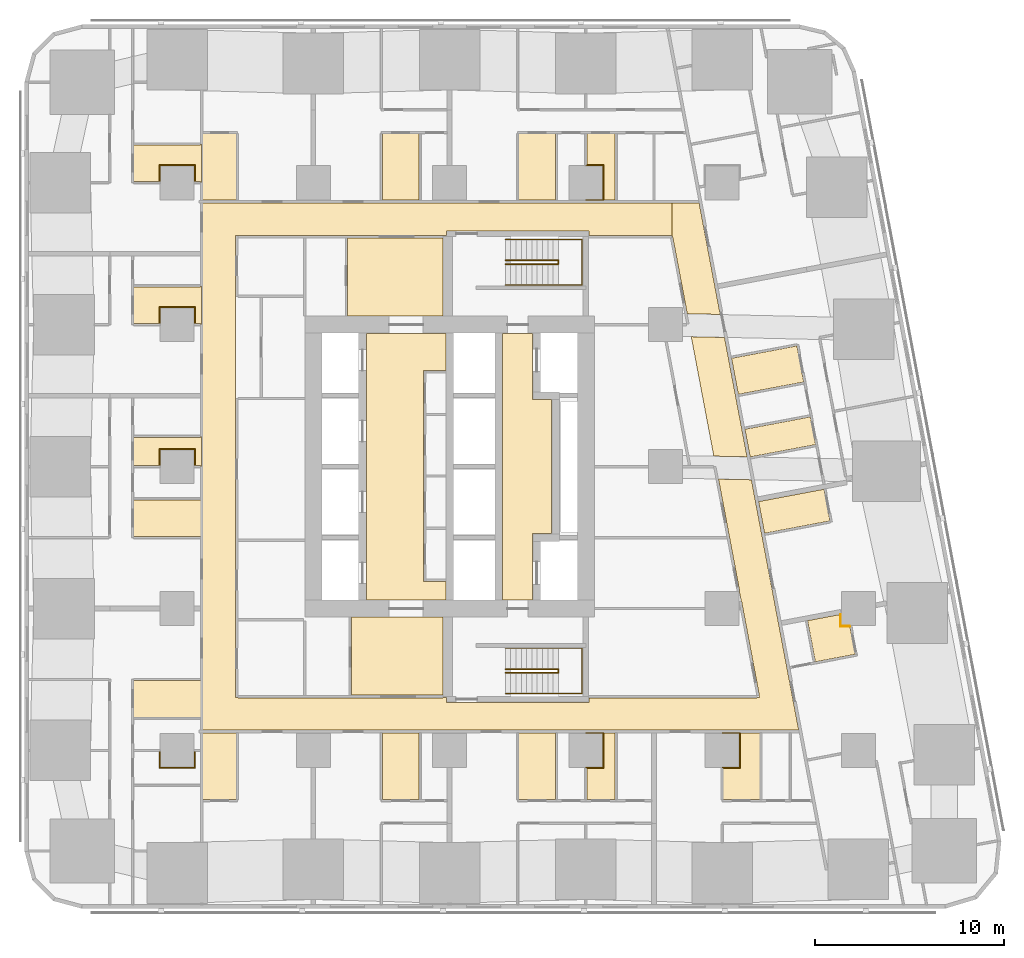
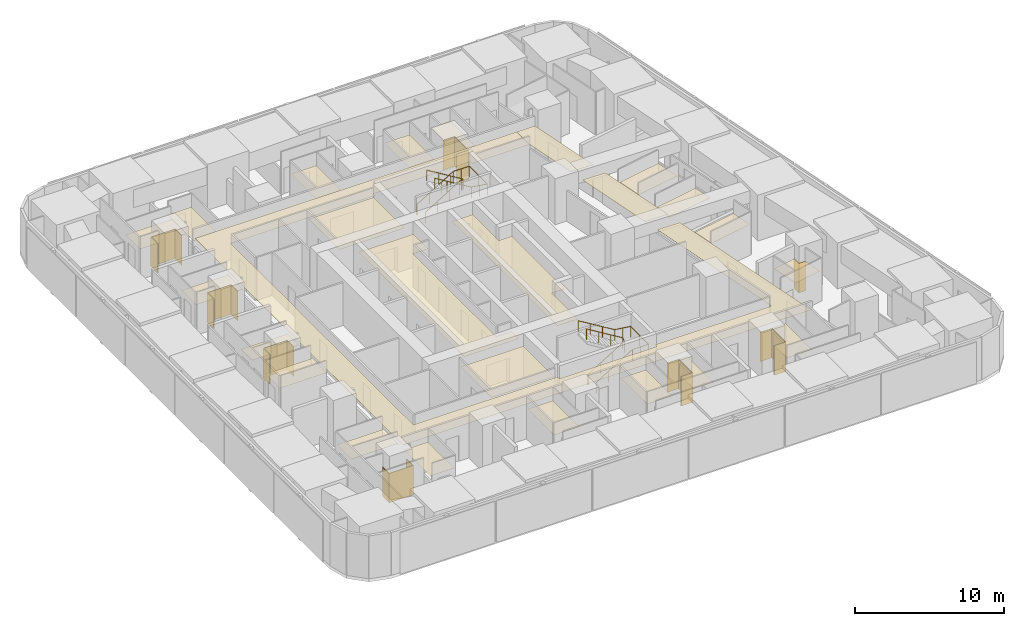
# One storey, part 16 of 17: 33 coverings, 4 railings.
"""IFC4 building model written with IfcOpenShell, lengths in metres."""

import ifcopenshell
import ifcopenshell.guid

model = None  # the IFC model being written
_history = None  # IfcOwnerHistory: only IFC2X3 demands one
_inside = {}  # id of a spatial element -> (the spatial element, [elements in it])
_under = {}  # id of a project, library or spatial element -> (it, [spatial elements below it])
_declared = {}  # id of a project -> (the project, [libraries it declares])
_typed = {}  # id of a type object -> (the type object, [elements of that type])
_made_of = {}  # id of a material, layer set ... -> (it, [elements and type objects made of it])


def new_model(schema):
    """Start an empty IFC model of exactly this schema.

    Asked for "IFC4X3", IfcOpenShell would pick the latest addendum, in which some entities
    have other attributes; the version numbers below select the first issue.
    IFC2X3 requires an IfcOwnerHistory on every rooted entity: one is made here for all.
    """
    global model, _history
    if schema == "IFC4X3":
        model = ifcopenshell.file(schema_version=(4, 3, 0, 0))
    else:
        model = ifcopenshell.file(schema=schema)
    _inside.clear()
    _under.clear()
    _declared.clear()
    _typed.clear()
    _made_of.clear()
    _history = None
    if model.schema == "IFC2X3":
        org = make("IfcOrganization", Name="unknown")
        user = make(
            "IfcPersonAndOrganization",
            ThePerson=make("IfcPerson", FamilyName="unknown"),
            TheOrganization=org,
        )
        app = make(
            "IfcApplication",
            ApplicationDeveloper=org,
            Version="unknown",
            ApplicationFullName="unknown",
            ApplicationIdentifier="unknown",
        )
        _history = make(
            "IfcOwnerHistory",
            OwningUser=user,
            OwningApplication=app,
            ChangeAction="ADDED",
            CreationDate=0,
        )
    return model


def make(cls, **values):
    """One entity of the class cls with the attributes given. An attribute that is None is left unset."""
    return model.create_entity(
        cls, **{name: value for name, value in values.items() if value is not None}
    )


def rooted(cls, **values):
    """An entity with a GlobalId (a new one), such as an element, a storey or a relation."""
    return make(cls, GlobalId=ifcopenshell.guid.new(), OwnerHistory=_history, **values)


def si_unit(unit_type, name, prefix=None):
    """IfcSIUnit, for example si_unit("LENGTHUNIT", "METRE", prefix="MILLI")."""
    return make("IfcSIUnit", UnitType=unit_type, Prefix=prefix, Name=name)


def assignment(units):
    """IfcUnitAssignment: the units of a project."""
    return None if units is None else make("IfcUnitAssignment", Units=units)


def point(xyz):
    """IfcCartesianPoint."""
    return None if xyz is None else make("IfcCartesianPoint", Coordinates=xyz)


def direction(xyz):
    """IfcDirection."""
    return None if xyz is None else make("IfcDirection", DirectionRatios=xyz)


def frame(location, z_axis=None, x_axis=None):
    """IfcAxis2Placement3D, a coordinate frame: its origin and axes. An axis left out is left unset."""
    return make(
        "IfcAxis2Placement3D",
        Location=point(location),
        Axis=direction(z_axis),
        RefDirection=direction(x_axis),
    )


def frame_2d(location, x_axis=None):
    """IfcAxis2Placement2D, a coordinate frame in the plane: its origin and x axis."""
    return make(
        "IfcAxis2Placement2D", Location=point(location), RefDirection=direction(x_axis)
    )


def origin():
    """The frame at (0, 0, 0) with its axes left unset."""
    return frame((0.0, 0.0, 0.0))


def origin_2d():
    """The frame at (0, 0) in the plane with its x axis left unset."""
    return frame_2d((0.0, 0.0))


def place(relative_to, where):
    """IfcLocalPlacement: puts the frame where relative to a parent placement (None: the world)."""
    return make(
        "IfcLocalPlacement", PlacementRelTo=relative_to, RelativePlacement=where
    )


def context(
    kind, dimensions, precision=None, world=None, true_north=None, identifier=None
):
    """IfcGeometricRepresentationContext, for example the 3D "Model" context."""
    return make(
        "IfcGeometricRepresentationContext",
        ContextIdentifier=identifier,
        ContextType=kind,
        CoordinateSpaceDimension=dimensions,
        Precision=precision,
        WorldCoordinateSystem=world,
        TrueNorth=true_north,
    )


def subcontext(parent, identifier, kind, view, scale=None):
    """IfcGeometricRepresentationSubContext, for example "Body" below "Model"."""
    return make(
        "IfcGeometricRepresentationSubContext",
        ContextIdentifier=identifier,
        ContextType=kind,
        ParentContext=parent,
        TargetScale=scale,
        TargetView=view,
    )


def project(units=None, contexts=None):
    """IfcProject with its units and contexts."""
    return rooted(
        "IfcProject",
        Name="project",
        RepresentationContexts=contexts,
        UnitsInContext=assignment(units),
    )


def spatial(cls, under=None, at=None, **own):
    """A site, building, storey or space (cls), placed at a placement, below another one or the project."""
    s = rooted(cls, ObjectPlacement=at, **own)
    if under is not None:
        _under.setdefault(under.id(), (under, []))[1].append(s)
    return s


def polyline(points):
    """IfcPolyline through the points."""
    return make("IfcPolyline", Points=[point(p) for p in points])


def profile(cls, at=None, kind="AREA", **sizes):
    """A parametric profile (cls). Its sizes go by their IFC names, for example OverallWidth=200.0."""
    return make(cls, ProfileType=kind, Position=at, **sizes)


def circle(**sizes):
    """IfcCircleProfileDef."""
    return profile("IfcCircleProfileDef", **sizes)


def outline(outer, holes=None, kind="AREA"):
    """IfcArbitraryClosedProfileDef: a profile drawn as a closed curve; with holes, ...WithVoids."""
    if holes is None:
        return make("IfcArbitraryClosedProfileDef", ProfileType=kind, OuterCurve=outer)
    return make(
        "IfcArbitraryProfileDefWithVoids",
        ProfileType=kind,
        OuterCurve=outer,
        InnerCurves=holes,
    )


def extrude(swept, where, along, depth):
    """IfcExtrudedAreaSolid: the profile swept, set in the frame where, extruded along a direction by depth."""
    return make(
        "IfcExtrudedAreaSolid",
        SweptArea=swept,
        Position=where,
        ExtrudedDirection=direction(along),
        Depth=depth,
    )


def shape(context_of_items, identifier, shape_type, items):
    """IfcShapeRepresentation: the items that make up one representation, for example the "Body"."""
    return make(
        "IfcShapeRepresentation",
        ContextOfItems=context_of_items,
        RepresentationIdentifier=identifier,
        RepresentationType=shape_type,
        Items=items,
    )


def material(Name=None, Category=None):
    """IfcMaterial."""
    return make("IfcMaterial", Name=Name, Category=Category)


def layer(
    of_material, thickness, ventilated=None, Name=None, Category=None, Priority=None
):
    """IfcMaterialLayer: one layer of a wall or slab, of a material (None: an air gap)."""
    return make(
        "IfcMaterialLayer",
        Material=of_material,
        LayerThickness=thickness,
        IsVentilated=ventilated,
        Name=Name,
        Category=Category,
        Priority=Priority,
    )


def layer_set(layers, Name=None):
    """IfcMaterialLayerSet."""
    return make("IfcMaterialLayerSet", MaterialLayers=layers, LayerSetName=Name)


def made_of(thing, what):
    """Note that an element or type object is made of a material, layer set ...; save() writes the relation."""
    if what is not None:
        _made_of.setdefault(what.id(), (what, []))[1].append(thing)
    return thing


def type_object(cls, material=None, **own):
    """A type object (cls), such as IfcWallType, which elements share."""
    return made_of(rooted(cls, **own), material)


def element(
    cls,
    number,
    at=None,
    inside=None,
    cuts=None,
    type_object=None,
    material=None,
    context=None,
    identifier="Body",
    shape_type=None,
    held_by="IfcProductDefinitionShape",
    body=None,
    shapes=None,
    **own,
):
    """One element of the class cls, such as IfcWall. Its Tag is "e" and its number.

    at: its placement. inside: the storey or other place that contains it. cuts: it is an
    opening in that element (IfcRelVoidsElement). A single representation is given by context,
    identifier, shape_type and body (its items); several are given by shapes. held_by: the class
    of the entity that holds the representations. save() writes the other relations.
    """
    e = rooted(cls, Tag="e%d" % number, ObjectPlacement=at, **own)
    if body is not None:
        shapes = [shape(context, identifier, shape_type, body)]
    if shapes is not None:
        e.Representation = make(held_by, Representations=shapes)
    if inside is not None:
        _inside.setdefault(inside.id(), (inside, []))[1].append(e)
    if cuts is not None:
        rooted(
            "IfcRelVoidsElement", RelatingBuildingElement=cuts, RelatedOpeningElement=e
        )
    if type_object is not None:
        _typed.setdefault(type_object.id(), (type_object, []))[1].append(e)
    return made_of(e, material)


def aggregate(whole, parts):
    """IfcRelAggregates: a whole, such as a stair, and the parts it consists of."""
    return rooted("IfcRelAggregates", RelatingObject=whole, RelatedObjects=parts)


def save(model, path):
    """Write the relations noted so far, then the file.

    IfcRelAggregates (storeys below a building ...), IfcRelContainedInSpatialStructure (elements
    in a storey), IfcRelDefinesByType, IfcRelAssociatesMaterial and IfcRelDeclares: one each for
    every whole, place, type object, material and project.
    """
    for whole, parts in _under.values():
        aggregate(whole, parts)
    for where, things in _inside.values():
        rooted(
            "IfcRelContainedInSpatialStructure",
            RelatedElements=things,
            RelatingStructure=where,
        )
    for kind, things in _typed.values():
        rooted("IfcRelDefinesByType", RelatedObjects=things, RelatingType=kind)
    for what, things in _made_of.values():
        rooted("IfcRelAssociatesMaterial", RelatedObjects=things, RelatingMaterial=what)
    for by, libraries in _declared.values():
        rooted("IfcRelDeclares", RelatingContext=by, RelatedDefinitions=libraries)
    model.write(path)


model = new_model("IFC4")

# Units and contexts
model_context = context("Model", 3, precision=1e-05, world=origin(), true_north=direction((0.0, 1.0)))
body_context = subcontext(model_context, "Body", "Model", "MODEL_VIEW")
ifc_project = project(units=[si_unit("LENGTHUNIT", "METRE"), si_unit("AREAUNIT", "SQUARE_METRE"), si_unit("VOLUMEUNIT", "CUBIC_METRE"), si_unit("PLANEANGLEUNIT", "RADIAN"), si_unit("MASSUNIT", "GRAM", prefix="KILO")], contexts=[model_context])

# Site, building, storey
site_placement = place(None, origin())
site = spatial("IfcSite", under=ifc_project, at=site_placement, CompositionType="ELEMENT")
building_placement = place(site_placement, origin())
building = spatial("IfcBuilding", under=site, at=building_placement, Name="Sheger Commons Tower", CompositionType="ELEMENT")
storey_placement = place(building_placement, frame((0.0, 0.0, 23.75)))
storey = spatial("IfcBuildingStorey", under=building, at=storey_placement, Name="L05", CompositionType="ELEMENT", Elevation=23.75)

# Railings
ifc_material_1 = material(Name="Steel handrail, black powder-coated", Category="steel")
railing_type = type_object("IfcRailingType", Name="HANDRAIL 900", PredefinedType="HANDRAIL", material=ifc_material_1)
railing_1_placement = place(storey_placement, frame((24.550048828125, 11.60009765625, 0.17041015625)))
element("IfcRailing", 1, at=railing_1_placement, inside=storey, type_object=railing_type, Name="Stair S1 handrail L05", PredefinedType="HANDRAIL", context=body_context, shape_type="SweptSolid", body=[
    extrude(circle(Radius=0.02392578125, at=origin_2d()), frame((0.0, 0.0, 0.8759765625), z_axis=(0.854169791009, 0.0, 0.51999420009), x_axis=(0.0, 1.0, 0.0)), (0.0, 0.0, 1.0), 3.278076171875),
    extrude(circle(Radius=0.02392578125, at=origin_2d()), frame((2.800048828125, 0.0, 2.58056640625), z_axis=(0.0, 0.761090297175, 0.648645943136), x_axis=(-1.0, 0.0, 0.0)), (0.0, 0.0, 1.0), 0.2626953125),
    extrude(circle(Radius=0.02392578125, at=origin_2d()), frame((2.800048828125, 0.199951171875, 2.7509765625), z_axis=(-0.854169791009, 0.0, 0.51999420009), x_axis=(0.0, -1.0, 0.0)), (0.0, 0.0, 1.0), 3.278076171875),
    extrude(circle(Radius=0.02099609375, at=origin_2d()), origin(), (0.0, 0.0, 1.0), 0.851806640625),
    extrude(circle(Radius=0.02099609375, at=origin_2d()), frame((0.933349609375, 0.0, 0.568115234375)), (0.0, 0.0, 1.0), 0.851806640625),
    extrude(circle(Radius=0.02099609375, at=origin_2d()), frame((1.86669921875, 0.0, 1.136474609375)), (0.0, 0.0, 1.0), 0.851806640625),
    extrude(circle(Radius=0.02099609375, at=origin_2d()), frame((2.800048828125, 0.0, 1.70458984375)), (0.0, 0.0, 1.0), 0.851806640625),
    extrude(circle(Radius=0.02099609375, at=origin_2d()), frame((2.800048828125, 0.199951171875, 1.875)), (0.0, 0.0, 1.0), 0.851806640625),
    extrude(circle(Radius=0.02099609375, at=origin_2d()), frame((1.86669921875, 0.199951171875, 2.443115234375)), (0.0, 0.0, 1.0), 0.851806640625),
    extrude(circle(Radius=0.02099609375, at=origin_2d()), frame((0.933349609375, 0.199951171875, 3.011474609375)), (0.0, 0.0, 1.0), 0.851806640625),
    extrude(circle(Radius=0.02099609375, at=origin_2d()), frame((0.0, 0.199951171875, 3.57958984375)), (0.0, 0.0, 1.0), 0.851806640625),
])
railing_2_placement = place(storey_placement, frame((24.550048828125, 10.5, 0.17041015625)))
element("IfcRailing", 2, at=railing_2_placement, inside=storey, type_object=railing_type, Name="Stair S1 handrail L05", PredefinedType="HANDRAIL", context=body_context, shape_type="SweptSolid", body=[
    extrude(circle(Radius=0.02392578125, at=origin_2d()), frame((0.0, 0.0, 0.8759765625), z_axis=(0.854169791009, 0.0, 0.51999420009), x_axis=(0.0, 1.0, 0.0)), (0.0, 0.0, 1.0), 3.278076171875),
    extrude(circle(Radius=0.02392578125, at=origin_2d()), frame((2.800048828125, 0.0, 2.58056640625), z_axis=(1.0, 0.0, 0.0), x_axis=(0.0, 1.0, 0.0)), (0.0, 0.0, 1.0), 1.25),
    extrude(circle(Radius=0.02392578125, at=origin_2d()), frame((4.050048828125, 0.0, 2.58056640625), z_axis=(0.0, 1.0, 0.0), x_axis=(-1.0, 0.0, 0.0)), (0.0, 0.0, 1.0), 2.39990234375),
    extrude(circle(Radius=0.02392578125, at=origin_2d()), frame((4.050048828125, 2.39990234375, 2.58056640625), z_axis=(-0.990834877927, 0.0, 0.135078661092), x_axis=(0.0, -1.0, 0.0)), (0.0, 0.0, 1.0), 1.261474609375),
    extrude(circle(Radius=0.02392578125, at=origin_2d()), frame((2.800048828125, 2.39990234375, 2.7509765625), z_axis=(-0.854169791009, 0.0, 0.51999420009), x_axis=(0.0, -1.0, 0.0)), (0.0, 0.0, 1.0), 3.278076171875),
    extrude(circle(Radius=0.02099609375, at=origin_2d()), origin(), (0.0, 0.0, 1.0), 0.851806640625),
    extrude(circle(Radius=0.02099609375, at=origin_2d()), frame((0.933349609375, 0.0, 0.568115234375)), (0.0, 0.0, 1.0), 0.851806640625),
    extrude(circle(Radius=0.02099609375, at=origin_2d()), frame((1.86669921875, 0.0, 1.136474609375)), (0.0, 0.0, 1.0), 0.851806640625),
    extrude(circle(Radius=0.02099609375, at=origin_2d()), frame((2.800048828125, 0.0, 1.70458984375)), (0.0, 0.0, 1.0), 0.851806640625),
    extrude(circle(Radius=0.02099609375, at=origin_2d()), frame((3.425048828125, 0.0, 1.70458984375)), (0.0, 0.0, 1.0), 0.851806640625),
    extrude(circle(Radius=0.02099609375, at=origin_2d()), frame((4.050048828125, 0.0, 1.70458984375)), (0.0, 0.0, 1.0), 0.851806640625),
    extrude(circle(Radius=0.02099609375, at=origin_2d()), frame((4.050048828125, 1.199951171875, 1.70458984375)), (0.0, 0.0, 1.0), 0.851806640625),
    extrude(circle(Radius=0.02099609375, at=origin_2d()), frame((4.050048828125, 2.39990234375, 1.70458984375)), (0.0, 0.0, 1.0), 0.851806640625),
    extrude(circle(Radius=0.02099609375, at=origin_2d()), frame((3.425048828125, 2.39990234375, 1.789794921875)), (0.0, 0.0, 1.0), 0.851806640625),
    extrude(circle(Radius=0.02099609375, at=origin_2d()), frame((2.800048828125, 2.39990234375, 1.875)), (0.0, 0.0, 1.0), 0.851806640625),
    extrude(circle(Radius=0.02099609375, at=origin_2d()), frame((1.86669921875, 2.39990234375, 2.443115234375)), (0.0, 0.0, 1.0), 0.851806640625),
    extrude(circle(Radius=0.02099609375, at=origin_2d()), frame((0.933349609375, 2.39990234375, 3.011474609375)), (0.0, 0.0, 1.0), 0.851806640625),
    extrude(circle(Radius=0.02099609375, at=origin_2d()), frame((0.0, 2.39990234375, 3.57958984375)), (0.0, 0.0, 1.0), 0.851806640625),
])
railing_3_placement = place(storey_placement, frame((24.550048828125, 33.39990234375, 0.17041015625)))
element("IfcRailing", 3, at=railing_3_placement, inside=storey, type_object=railing_type, Name="Stair S2 handrail L05", PredefinedType="HANDRAIL", context=body_context, shape_type="SweptSolid", body=[
    extrude(circle(Radius=0.02392578125, at=origin_2d()), frame((0.0, 0.0, 0.8759765625), z_axis=(0.854169791009, 0.0, 0.51999420009), x_axis=(0.0, 1.0, 0.0)), (0.0, 0.0, 1.0), 3.278076171875),
    extrude(circle(Radius=0.02392578125, at=origin_2d()), frame((2.800048828125, 0.0, 2.58056640625), z_axis=(0.0, -0.761090297175, 0.648645943136), x_axis=(1.0, 0.0, 0.0)), (0.0, 0.0, 1.0), 0.2626953125),
    extrude(circle(Radius=0.02392578125, at=origin_2d()), frame((2.800048828125, -0.199951171875, 2.7509765625), z_axis=(-0.854169791009, 0.0, 0.51999420009), x_axis=(0.0, -1.0, 0.0)), (0.0, 0.0, 1.0), 3.278076171875),
    extrude(circle(Radius=0.02099609375, at=origin_2d()), origin(), (0.0, 0.0, 1.0), 0.851806640625),
    extrude(circle(Radius=0.02099609375, at=origin_2d()), frame((0.933349609375, 0.0, 0.568115234375)), (0.0, 0.0, 1.0), 0.851806640625),
    extrude(circle(Radius=0.02099609375, at=origin_2d()), frame((1.86669921875, 0.0, 1.136474609375)), (0.0, 0.0, 1.0), 0.851806640625),
    extrude(circle(Radius=0.02099609375, at=origin_2d()), frame((2.800048828125, 0.0, 1.70458984375)), (0.0, 0.0, 1.0), 0.851806640625),
    extrude(circle(Radius=0.02099609375, at=origin_2d()), frame((2.800048828125, -0.199951171875, 1.875)), (0.0, 0.0, 1.0), 0.851806640625),
    extrude(circle(Radius=0.02099609375, at=origin_2d()), frame((1.86669921875, -0.199951171875, 2.443115234375)), (0.0, 0.0, 1.0), 0.851806640625),
    extrude(circle(Radius=0.02099609375, at=origin_2d()), frame((0.933349609375, -0.199951171875, 3.011474609375)), (0.0, 0.0, 1.0), 0.851806640625),
    extrude(circle(Radius=0.02099609375, at=origin_2d()), frame((0.0, -0.199951171875, 3.57958984375)), (0.0, 0.0, 1.0), 0.851806640625),
])
railing_4_placement = place(storey_placement, frame((24.550048828125, 34.5, 0.17041015625)))
element("IfcRailing", 4, at=railing_4_placement, inside=storey, type_object=railing_type, Name="Stair S2 handrail L05", PredefinedType="HANDRAIL", context=body_context, shape_type="SweptSolid", body=[
    extrude(circle(Radius=0.02392578125, at=origin_2d()), frame((0.0, 0.0, 0.8759765625), z_axis=(0.854169791009, 0.0, 0.51999420009), x_axis=(0.0, 1.0, 0.0)), (0.0, 0.0, 1.0), 3.278076171875),
    extrude(circle(Radius=0.02392578125, at=origin_2d()), frame((2.800048828125, 0.0, 2.58056640625), z_axis=(1.0, 0.0, 0.0), x_axis=(0.0, 1.0, 0.0)), (0.0, 0.0, 1.0), 1.25),
    extrude(circle(Radius=0.02392578125, at=origin_2d()), frame((4.050048828125, 0.0, 2.58056640625), z_axis=(0.0, -1.0, 0.0), x_axis=(1.0, 0.0, 0.0)), (0.0, 0.0, 1.0), 2.39990234375),
    extrude(circle(Radius=0.02392578125, at=origin_2d()), frame((4.050048828125, -2.39990234375, 2.58056640625), z_axis=(-0.990834877927, 0.0, 0.135078661092), x_axis=(0.0, -1.0, 0.0)), (0.0, 0.0, 1.0), 1.261474609375),
    extrude(circle(Radius=0.02392578125, at=origin_2d()), frame((2.800048828125, -2.39990234375, 2.7509765625), z_axis=(-0.854169791009, 0.0, 0.51999420009), x_axis=(0.0, -1.0, 0.0)), (0.0, 0.0, 1.0), 3.278076171875),
    extrude(circle(Radius=0.02099609375, at=origin_2d()), origin(), (0.0, 0.0, 1.0), 0.851806640625),
    extrude(circle(Radius=0.02099609375, at=origin_2d()), frame((0.933349609375, 0.0, 0.568115234375)), (0.0, 0.0, 1.0), 0.851806640625),
    extrude(circle(Radius=0.02099609375, at=origin_2d()), frame((1.86669921875, 0.0, 1.136474609375)), (0.0, 0.0, 1.0), 0.851806640625),
    extrude(circle(Radius=0.02099609375, at=origin_2d()), frame((2.800048828125, 0.0, 1.70458984375)), (0.0, 0.0, 1.0), 0.851806640625),
    extrude(circle(Radius=0.02099609375, at=origin_2d()), frame((3.425048828125, 0.0, 1.70458984375)), (0.0, 0.0, 1.0), 0.851806640625),
    extrude(circle(Radius=0.02099609375, at=origin_2d()), frame((4.050048828125, 0.0, 1.70458984375)), (0.0, 0.0, 1.0), 0.851806640625),
    extrude(circle(Radius=0.02099609375, at=origin_2d()), frame((4.050048828125, -1.199951171875, 1.70458984375)), (0.0, 0.0, 1.0), 0.851806640625),
    extrude(circle(Radius=0.02099609375, at=origin_2d()), frame((4.050048828125, -2.39990234375, 1.70458984375)), (0.0, 0.0, 1.0), 0.851806640625),
    extrude(circle(Radius=0.02099609375, at=origin_2d()), frame((3.425048828125, -2.39990234375, 1.789794921875)), (0.0, 0.0, 1.0), 0.851806640625),
    extrude(circle(Radius=0.02099609375, at=origin_2d()), frame((2.800048828125, -2.39990234375, 1.875)), (0.0, 0.0, 1.0), 0.851806640625),
    extrude(circle(Radius=0.02099609375, at=origin_2d()), frame((1.86669921875, -2.39990234375, 2.443115234375)), (0.0, 0.0, 1.0), 0.851806640625),
    extrude(circle(Radius=0.02099609375, at=origin_2d()), frame((0.933349609375, -2.39990234375, 3.011474609375)), (0.0, 0.0, 1.0), 0.851806640625),
    extrude(circle(Radius=0.02099609375, at=origin_2d()), frame((0.0, -2.39990234375, 3.57958984375)), (0.0, 0.0, 1.0), 0.851806640625),
])

# Coverings
ifc_material_2 = material(Name="Moisture-resistant gypsum plasterboard 15 mm on a suspended galvanised steel grid", Category="steel")
ifc_layer_1 = layer(ifc_material_2, 0.014892578125)
ifc_layer_set_1 = layer_set([ifc_layer_1], Name="MOISTURE-RESISTANT CEILING 15")
covering_type_1 = type_object("IfcCoveringType", Name="MOISTURE-RESISTANT CEILING 15", PredefinedType="CEILING", material=ifc_layer_set_1)
covering_1_placement = place(storey_placement, frame((0.0, 0.0, 2.39990234375)))
element("IfcCovering", 5, at=covering_1_placement, inside=storey, type_object=covering_type_1, Name="L05-01.B1 ceiling", PredefinedType="CEILING", context=body_context, shape_type="SweptSolid", body=[
    extrude(outline(polyline([(8.429931640625, 9.199951171875), (8.5, 9.199951171875), (8.5, 11.25), (8.429931640625, 11.25), (8.429931640625, 11.195068359375), (4.905029296875, 11.195068359375), (4.905029296875, 9.2548828125), (8.429931640625, 9.2548828125), (8.429931640625, 9.199951171875)])), origin(), (0.0, 0.0, 1.0), 0.01513671875),
])
covering_2_placement = place(storey_placement, frame((0.0, 0.0, 2.39990234375)))
element("IfcCovering", 6, at=covering_2_placement, inside=storey, type_object=covering_type_1, Name="L05-02.B1 ceiling", PredefinedType="CEILING", context=body_context, shape_type="SweptSolid", body=[
    extrude(outline(polyline([(8.429931640625, 18.75), (8.5, 18.75), (8.5, 20.800048828125), (8.429931640625, 20.800048828125), (8.429931640625, 20.7451171875), (4.905029296875, 20.7451171875), (4.905029296875, 18.804931640625), (8.429931640625, 18.804931640625), (8.429931640625, 18.75)])), origin(), (0.0, 0.0, 1.0), 0.01513671875),
])
covering_3_placement = place(storey_placement, frame((0.0, 0.0, 2.39990234375)))
element("IfcCovering", 7, at=covering_3_placement, inside=storey, type_object=covering_type_1, Name="L05-02.B2 ceiling", PredefinedType="CEILING", context=body_context, shape_type="SweptSolid", body=[
    extrude(outline(polyline([(8.429931640625, 22.5), (8.5, 22.5), (8.5, 24.10009765625), (8.429931640625, 24.10009765625), (8.429931640625, 24.044921875), (4.905029296875, 24.044921875), (4.905029296875, 22.554931640625), (6.294921875, 22.554931640625), (6.294921875, 23.405029296875), (8.10498046875, 23.405029296875), (8.10498046875, 22.554931640625), (8.429931640625, 22.554931640625), (8.429931640625, 22.5)])), origin(), (0.0, 0.0, 1.0), 0.01513671875),
])
covering_4_placement = place(storey_placement, frame((0.0, 0.0, 2.39990234375)))
element("IfcCovering", 8, at=covering_4_placement, inside=storey, type_object=covering_type_1, Name="L05-03.B1 ceiling", PredefinedType="CEILING", context=body_context, shape_type="SweptSolid", body=[
    extrude(outline(polyline([(8.429931640625, 30.0), (8.5, 30.0), (8.5, 32.050048828125), (8.429931640625, 32.050048828125), (8.429931640625, 31.9951171875), (4.905029296875, 31.9951171875), (4.905029296875, 30.054931640625), (6.294921875, 30.054931640625), (6.294921875, 30.905029296875), (8.10498046875, 30.905029296875), (8.10498046875, 30.054931640625), (8.429931640625, 30.054931640625), (8.429931640625, 30.0)])), origin(), (0.0, 0.0, 1.0), 0.01513671875),
])
covering_5_placement = place(storey_placement, frame((0.0, 0.0, 2.39990234375)))
element("IfcCovering", 9, at=covering_5_placement, inside=storey, type_object=covering_type_1, Name="L05-04.B1 ceiling", PredefinedType="CEILING", context=body_context, shape_type="SweptSolid", body=[
    extrude(outline(polyline([(8.429931640625, 37.5), (8.5, 37.5), (8.5, 39.550048828125), (8.429931640625, 39.550048828125), (8.429931640625, 39.4951171875), (4.905029296875, 39.4951171875), (4.905029296875, 37.554931640625), (6.294921875, 37.554931640625), (6.294921875, 38.405029296875), (8.10498046875, 38.405029296875), (8.10498046875, 37.554931640625), (8.429931640625, 37.554931640625), (8.429931640625, 37.5)])), origin(), (0.0, 0.0, 1.0), 0.01513671875),
])
covering_6_placement = place(storey_placement, frame((0.0, 0.0, 2.39990234375)))
element("IfcCovering", 10, at=covering_6_placement, inside=storey, type_object=covering_type_1, Name="L05-05.B1 ceiling", PredefinedType="CEILING", context=body_context, shape_type="SweptSolid", body=[
    extrude(outline(polyline([(8.5, 4.85009765625), (8.570068359375, 4.85009765625), (8.570068359375, 4.905029296875), (10.3349609375, 4.905029296875), (10.3349609375, 8.419921875), (8.5, 8.419921875), (8.5, 4.85009765625)])), origin(), (0.0, 0.0, 1.0), 0.01513671875),
])
covering_7_placement = place(storey_placement, frame((0.0, 0.0, 2.39990234375)))
element("IfcCovering", 11, at=covering_7_placement, inside=storey, type_object=covering_type_1, Name="L05-06.B1 ceiling", PredefinedType="CEILING", context=body_context, shape_type="SweptSolid", body=[
    extrude(outline(polyline([(18.054931640625, 4.905029296875), (19.9951171875, 4.905029296875), (19.9951171875, 8.419921875), (18.054931640625, 8.419921875), (18.054931640625, 4.905029296875)])), origin(), (0.0, 0.0, 1.0), 0.01513671875),
])
covering_8_placement = place(storey_placement, frame((0.0, 0.0, 2.39990234375)))
element("IfcCovering", 12, at=covering_8_placement, inside=storey, type_object=covering_type_1, Name="L05-07.B1 ceiling", PredefinedType="CEILING", context=body_context, shape_type="SweptSolid", body=[
    extrude(outline(polyline([(25.2548828125, 4.905029296875), (27.195068359375, 4.905029296875), (27.195068359375, 8.419921875), (25.2548828125, 8.419921875), (25.2548828125, 4.905029296875)])), origin(), (0.0, 0.0, 1.0), 0.01513671875),
])
covering_9_placement = place(storey_placement, frame((0.0, 0.0, 2.39990234375)))
element("IfcCovering", 13, at=covering_9_placement, inside=storey, type_object=covering_type_1, Name="L05-07.B2 ceiling", PredefinedType="CEILING", context=body_context, shape_type="SweptSolid", body=[
    extrude(outline(polyline([(28.85498046875, 4.905029296875), (30.344970703125, 4.905029296875), (30.344970703125, 8.419921875), (28.800048828125, 8.419921875), (28.800048828125, 8.405029296875), (29.705078125, 8.405029296875), (29.705078125, 6.594970703125), (28.85498046875, 6.594970703125), (28.85498046875, 4.905029296875)])), origin(), (0.0, 0.0, 1.0), 0.01513671875),
])
covering_10_placement = place(storey_placement, frame((0.0, 0.0, 2.39990234375)))
element("IfcCovering", 14, at=covering_10_placement, inside=storey, type_object=covering_type_1, Name="L05-08.B1 ceiling", PredefinedType="CEILING", context=body_context, shape_type="SweptSolid", body=[
    extrude(outline(polyline([(36.054931640625, 4.905029296875), (37.9951171875, 4.905029296875), (37.9951171875, 8.419921875), (36.0, 8.419921875), (36.0, 8.405029296875), (36.905029296875, 8.405029296875), (36.905029296875, 6.594970703125), (36.054931640625, 6.594970703125), (36.054931640625, 4.905029296875)])), origin(), (0.0, 0.0, 1.0), 0.01513671875),
])
covering_11_placement = place(storey_placement, frame((0.0, 0.0, 2.39990234375)))
element("IfcCovering", 15, at=covering_11_placement, inside=storey, type_object=covering_type_1, Name="L05-10.B1 ceiling", PredefinedType="CEILING", context=body_context, shape_type="SweptSolid", body=[
    extrude(outline(polyline([(36.860107421875, 26.319091796875), (40.31298828125, 26.970947265625), (39.952880859375, 28.8779296875), (36.5, 28.22509765625), (36.860107421875, 26.319091796875)])), origin(), (0.0, 0.0, 1.0), 0.01513671875),
])
covering_12_placement = place(storey_placement, frame((0.0, 0.0, 2.39990234375)))
element("IfcCovering", 16, at=covering_12_placement, inside=storey, type_object=covering_type_1, Name="L05-10.B2 ceiling", PredefinedType="CEILING", context=body_context, shape_type="SweptSolid", body=[
    extrude(outline(polyline([(37.485107421875, 23.010986328125), (40.93896484375, 23.6630859375), (40.662109375, 25.1279296875), (37.2080078125, 24.47509765625), (37.485107421875, 23.010986328125)])), origin(), (0.0, 0.0, 1.0), 0.01513671875),
])
covering_13_placement = place(storey_placement, frame((0.0, 0.0, 2.39990234375)))
element("IfcCovering", 17, at=covering_13_placement, inside=storey, type_object=covering_type_1, Name="L05-11.B1 ceiling", PredefinedType="CEILING", context=body_context, shape_type="SweptSolid", body=[
    extrude(outline(polyline([(38.2470703125, 18.97607421875), (41.700927734375, 19.62890625), (41.384033203125, 21.303955078125), (37.929931640625, 20.652099609375), (38.2470703125, 18.97607421875)])), origin(), (0.0, 0.0, 1.0), 0.01513671875),
])
covering_14_placement = place(storey_placement, frame((0.0, 0.0, 2.39990234375)))
element("IfcCovering", 18, at=covering_14_placement, inside=storey, type_object=covering_type_1, Name="L05-12.B1 ceiling", PredefinedType="CEILING", context=body_context, shape_type="SweptSolid", body=[
    extrude(outline(polyline([(40.875, 12.174072265625), (43.031982421875, 12.58203125), (42.7490234375, 14.080078125), (42.280029296875, 14.080078125), (42.280029296875, 14.693115234375), (40.51806640625, 14.360107421875), (40.925048828125, 12.2060546875), (40.87109375, 12.196044921875), (40.875, 12.174072265625)])), origin(), (0.0, 0.0, 1.0), 0.01513671875),
])
covering_15_placement = place(storey_placement, frame((0.0, 0.0, 2.39990234375)))
element("IfcCovering", 19, at=covering_15_placement, inside=storey, type_object=covering_type_1, Name="L05-13.B1 ceiling", PredefinedType="CEILING", context=body_context, shape_type="SweptSolid", body=[
    extrude(outline(polyline([(8.5, 36.580078125), (10.3349609375, 36.580078125), (10.3349609375, 40.094970703125), (8.570068359375, 40.094970703125), (8.570068359375, 40.14990234375), (8.5, 40.14990234375), (8.5, 36.580078125)])), origin(), (0.0, 0.0, 1.0), 0.01513671875),
])
covering_16_placement = place(storey_placement, frame((0.0, 0.0, 2.39990234375)))
element("IfcCovering", 20, at=covering_16_placement, inside=storey, type_object=covering_type_1, Name="L05-14.B1 ceiling", PredefinedType="CEILING", context=body_context, shape_type="SweptSolid", body=[
    extrude(outline(polyline([(18.054931640625, 36.580078125), (19.9951171875, 36.580078125), (19.9951171875, 40.094970703125), (18.054931640625, 40.094970703125), (18.054931640625, 36.580078125)])), origin(), (0.0, 0.0, 1.0), 0.01513671875),
])
covering_17_placement = place(storey_placement, frame((0.0, 0.0, 2.39990234375)))
element("IfcCovering", 21, at=covering_17_placement, inside=storey, type_object=covering_type_1, Name="L05-15.B1 ceiling", PredefinedType="CEILING", context=body_context, shape_type="SweptSolid", body=[
    extrude(outline(polyline([(25.2548828125, 36.580078125), (27.195068359375, 36.580078125), (27.195068359375, 40.094970703125), (25.2548828125, 40.094970703125), (25.2548828125, 36.580078125)])), origin(), (0.0, 0.0, 1.0), 0.01513671875),
])
covering_18_placement = place(storey_placement, frame((0.0, 0.0, 2.39990234375)))
element("IfcCovering", 22, at=covering_18_placement, inside=storey, type_object=covering_type_1, Name="L05-15.B2 ceiling", PredefinedType="CEILING", context=body_context, shape_type="SweptSolid", body=[
    extrude(outline(polyline([(28.800048828125, 36.580078125), (30.344970703125, 36.580078125), (30.344970703125, 40.094970703125), (28.85498046875, 40.094970703125), (28.85498046875, 38.405029296875), (29.705078125, 38.405029296875), (29.705078125, 36.594970703125), (28.800048828125, 36.594970703125), (28.800048828125, 36.580078125)])), origin(), (0.0, 0.0, 1.0), 0.01513671875),
])
ifc_material_3 = material(Name="Gypsum plasterboard 15 mm on a suspended steel grid", Category="steel")
ifc_layer_2 = layer(ifc_material_3, 0.014892578125)
ifc_layer_set_2 = layer_set([ifc_layer_2], Name="SUSPENDED CEILING 15")
covering_type_2 = type_object("IfcCoveringType", Name="SUSPENDED CEILING 15", PredefinedType="CEILING", material=ifc_layer_set_2)
covering_19_placement = place(storey_placement, frame((0.0, 0.0, 2.699951171875)))
element("IfcCovering", 23, at=covering_19_placement, inside=storey, type_object=covering_type_2, Name="L05-CO ceiling", PredefinedType="CEILING", context=body_context, shape_type="SweptSolid", body=[
    extrude(outline(polyline([(8.5, 8.580078125), (40.048095703125, 8.580078125), (37.550048828125, 21.802978515625), (35.81103515625, 21.837890625), (36.927978515625, 15.9208984375), (36.910888671875, 15.9169921875), (37.010009765625, 15.39501953125), (37.027099609375, 15.39794921875), (37.967041015625, 10.4208984375), (37.949951171875, 10.4169921875), (37.971923828125, 10.300048828125), (37.841064453125, 10.300048828125), (37.841064453125, 10.281982421875), (28.955078125, 10.281982421875), (28.955078125, 10.044921875), (21.445068359375, 10.044921875), (21.445068359375, 10.300048828125), (21.2548828125, 10.300048828125), (21.2548828125, 10.281982421875), (10.407958984375, 10.281982421875), (10.407958984375, 10.294921875), (10.281982421875, 10.294921875), (10.281982421875, 26.10498046875), (10.300048828125, 26.10498046875), (10.300048828125, 31.4951171875), (10.281982421875, 31.4951171875), (10.281982421875, 34.705078125), (10.407958984375, 34.705078125), (10.407958984375, 34.718017578125), (21.2548828125, 34.718017578125), (21.2548828125, 34.699951171875), (21.445068359375, 34.699951171875), (21.445068359375, 34.955078125), (28.955078125, 34.955078125), (28.955078125, 34.718017578125), (33.3359375, 34.718017578125), (33.3359375, 34.699951171875), (33.361083984375, 34.699951171875), (33.361083984375, 36.419921875), (8.5, 36.419921875), (8.5, 8.580078125)])), origin(), (0.0, 0.0, 1.0), 0.01513671875),
])
covering_20_placement = place(storey_placement, frame((0.0, 0.0, 2.699951171875)))
element("IfcCovering", 24, at=covering_20_placement, inside=storey, type_object=covering_type_2, Name="L05-CO ceiling", PredefinedType="CEILING", context=body_context, shape_type="SweptSolid", body=[
    extrude(outline(polyline([(37.321044921875, 23.01806640625), (36.12890625, 29.323974609375), (34.37109375, 29.364013671875), (35.56298828125, 23.052978515625), (37.321044921875, 23.01806640625)])), origin(), (0.0, 0.0, 1.0), 0.01513671875),
])
covering_21_placement = place(storey_placement, frame((0.0, 0.0, 2.699951171875)))
element("IfcCovering", 25, at=covering_21_placement, inside=storey, type_object=covering_type_2, Name="L05-CO ceiling", PredefinedType="CEILING", context=body_context, shape_type="SweptSolid", body=[
    extrude(outline(polyline([(35.89990234375, 30.5400390625), (34.77392578125, 36.5), (34.77001953125, 36.5), (34.77001953125, 36.419921875), (33.365966796875, 36.419921875), (33.365966796875, 34.699951171875), (33.365966796875, 34.697998046875), (33.364013671875, 34.697998046875), (33.382080078125, 34.60205078125), (33.39892578125, 34.60498046875), (34.159912109375, 30.5791015625), (35.89990234375, 30.5400390625)])), origin(), (0.0, 0.0, 1.0), 0.01513671875),
])
covering_22_placement = place(storey_placement, frame((0.0, 0.0, 2.699951171875)))
element("IfcCovering", 26, at=covering_22_placement, inside=storey, type_object=covering_type_2, Name="L05-SVS1 ceiling", PredefinedType="CEILING", context=body_context, shape_type="SweptSolid", body=[
    extrude(outline(polyline([(16.406982421875, 10.41796875), (21.2451171875, 10.41796875), (21.2451171875, 14.544921875), (16.406982421875, 14.544921875), (16.406982421875, 10.41796875)])), origin(), (0.0, 0.0, 1.0), 0.01513671875),
])
covering_23_placement = place(storey_placement, frame((0.0, 0.0, 2.699951171875)))
element("IfcCovering", 27, at=covering_23_placement, inside=storey, type_object=covering_type_2, Name="L05-SVN1 ceiling", PredefinedType="CEILING", context=body_context, shape_type="SweptSolid", body=[
    extrude(outline(polyline([(16.217041015625, 30.455078125), (21.2451171875, 30.455078125), (21.2451171875, 34.58203125), (16.217041015625, 34.58203125), (16.217041015625, 30.455078125)])), origin(), (0.0, 0.0, 1.0), 0.01513671875),
])
covering_24_placement = place(storey_placement, frame((0.0, 0.0, 2.699951171875)))
element("IfcCovering", 28, at=covering_24_placement, inside=storey, type_object=covering_type_2, Name="L05-LL ceiling", PredefinedType="CEILING", context=body_context, shape_type="SweptSolid", body=[
    extrude(outline(polyline([(17.205078125, 15.455078125), (21.39990234375, 15.455078125), (21.39990234375, 16.43310546875), (20.35791015625, 16.43310546875), (20.23291015625, 16.43310546875), (20.23291015625, 27.56689453125), (20.35791015625, 27.56689453125), (21.39990234375, 27.56689453125), (21.39990234375, 29.544921875), (17.205078125, 29.544921875), (17.205078125, 15.455078125)])), origin(), (0.0, 0.0, 1.0), 0.01513671875),
])
covering_25_placement = place(storey_placement, frame((0.0, 0.0, 2.699951171875)))
element("IfcCovering", 29, at=covering_25_placement, inside=storey, type_object=covering_type_2, Name="L05-FL ceiling", PredefinedType="CEILING", context=body_context, shape_type="SweptSolid", body=[
    extrude(outline(polyline([(24.405029296875, 15.455078125), (25.9951171875, 15.455078125), (25.9951171875, 18.955078125), (26.9951171875, 18.955078125), (26.9951171875, 26.044921875), (25.9951171875, 26.044921875), (25.9951171875, 29.544921875), (24.405029296875, 29.544921875), (24.405029296875, 15.455078125)])), origin(), (0.0, 0.0, 1.0), 0.01513671875),
])
ifc_material_4 = material(Name="Moisture-resistant gypsum board 12.5 mm on 25 mm treated timber battens, tanked and tiled", Category="wood")
ifc_layer_3 = layer(ifc_material_4, 0.050048828125)
ifc_layer_set_3 = layer_set([ifc_layer_3], Name="WET-ROOM COLUMN LINING")
covering_type_3 = type_object("IfcCoveringType", Name="WET-ROOM COLUMN LINING", PredefinedType="CLADDING", material=ifc_layer_set_3)
covering_26_placement = place(storey_placement, origin())
element("IfcCovering", 30, at=covering_26_placement, inside=storey, type_object=covering_type_3, Name="Laundry room column lining C8 L05", PredefinedType="CLADDING", context=body_context, shape_type="SweptSolid", body=[
    extrude(outline(polyline([(6.300048828125, 7.5), (6.300048828125, 6.60009765625), (8.10009765625, 6.60009765625), (8.10009765625, 7.5), (8.10107421875, 7.5), (8.10107421875, 7.449951171875), (8.14990234375, 7.449951171875), (8.14990234375, 6.550048828125), (6.25, 6.550048828125), (6.25, 7.449951171875), (6.299072265625, 7.449951171875), (6.299072265625, 7.5), (6.300048828125, 7.5)])), origin(), (0.0, 0.0, 1.0), 2.39990234375),
])
covering_27_placement = place(storey_placement, origin())
element("IfcCovering", 31, at=covering_27_placement, inside=storey, type_object=covering_type_3, Name="Shower room column lining C8 L05", PredefinedType="CLADDING", context=body_context, shape_type="SweptSolid", body=[
    extrude(outline(polyline([(29.75, 6.550048828125), (28.85009765625, 6.550048828125), (28.85009765625, 6.59912109375), (28.800048828125, 6.59912109375), (28.800048828125, 6.60009765625), (29.699951171875, 6.60009765625), (29.699951171875, 8.39990234375), (28.800048828125, 8.39990234375), (28.800048828125, 8.425048828125), (29.75, 8.425048828125), (29.75, 6.550048828125)])), origin(), (0.0, 0.0, 1.0), 2.39990234375),
])
covering_28_placement = place(storey_placement, origin())
element("IfcCovering", 32, at=covering_28_placement, inside=storey, type_object=covering_type_3, Name="Bathroom column lining C8 L05", PredefinedType="CLADDING", context=body_context, shape_type="SweptSolid", body=[
    extrude(outline(polyline([(36.949951171875, 6.550048828125), (36.050048828125, 6.550048828125), (36.050048828125, 6.59912109375), (36.0, 6.59912109375), (36.0, 6.60009765625), (36.89990234375, 6.60009765625), (36.89990234375, 8.39990234375), (36.0, 8.39990234375), (36.0, 8.425048828125), (36.949951171875, 8.425048828125), (36.949951171875, 6.550048828125)])), origin(), (0.0, 0.0, 1.0), 2.39990234375),
])
covering_29_placement = place(storey_placement, origin())
element("IfcCovering", 33, at=covering_29_placement, inside=storey, type_object=covering_type_3, Name="Shower room column lining C8 L05", PredefinedType="CLADDING", context=body_context, shape_type="SweptSolid", body=[
    extrude(outline(polyline([(42.280029296875, 14.080078125), (42.75390625, 14.080078125), (42.760009765625, 14.050048828125), (42.25, 14.050048828125), (42.25, 14.693115234375), (42.280029296875, 14.698974609375), (42.280029296875, 14.080078125)])), origin(), (0.0, 0.0, 1.0), 2.39990234375),
])
covering_30_placement = place(storey_placement, origin())
element("IfcCovering", 34, at=covering_30_placement, inside=storey, type_object=covering_type_3, Name="Shower room column lining C8 L05", PredefinedType="CLADDING", context=body_context, shape_type="SweptSolid", body=[
    extrude(outline(polyline([(8.14990234375, 23.449951171875), (8.14990234375, 22.550048828125), (8.10107421875, 22.550048828125), (8.10107421875, 22.5), (8.10009765625, 22.5), (8.10009765625, 23.39990234375), (6.300048828125, 23.39990234375), (6.300048828125, 22.5), (6.299072265625, 22.5), (6.299072265625, 22.550048828125), (6.25, 22.550048828125), (6.25, 23.449951171875), (8.14990234375, 23.449951171875)])), origin(), (0.0, 0.0, 1.0), 2.39990234375),
])
covering_31_placement = place(storey_placement, origin())
element("IfcCovering", 35, at=covering_31_placement, inside=storey, type_object=covering_type_3, Name="Bathroom column lining C8 L05", PredefinedType="CLADDING", context=body_context, shape_type="SweptSolid", body=[
    extrude(outline(polyline([(8.14990234375, 30.949951171875), (8.14990234375, 30.050048828125), (8.10107421875, 30.050048828125), (8.10107421875, 30.0), (8.10009765625, 30.0), (8.10009765625, 30.89990234375), (6.300048828125, 30.89990234375), (6.300048828125, 30.0), (6.299072265625, 30.0), (6.299072265625, 30.050048828125), (6.25, 30.050048828125), (6.25, 30.949951171875), (8.14990234375, 30.949951171875)])), origin(), (0.0, 0.0, 1.0), 2.39990234375),
])
covering_32_placement = place(storey_placement, origin())
element("IfcCovering", 36, at=covering_32_placement, inside=storey, type_object=covering_type_3, Name="Bathroom column lining C8 L05", PredefinedType="CLADDING", context=body_context, shape_type="SweptSolid", body=[
    extrude(outline(polyline([(8.14990234375, 38.449951171875), (8.14990234375, 37.550048828125), (8.10107421875, 37.550048828125), (8.10107421875, 37.5), (8.10009765625, 37.5), (8.10009765625, 38.39990234375), (6.300048828125, 38.39990234375), (6.300048828125, 37.5), (6.299072265625, 37.5), (6.299072265625, 37.550048828125), (6.25, 37.550048828125), (6.25, 38.449951171875), (8.14990234375, 38.449951171875)])), origin(), (0.0, 0.0, 1.0), 2.39990234375),
])
covering_33_placement = place(storey_placement, origin())
element("IfcCovering", 37, at=covering_33_placement, inside=storey, type_object=covering_type_3, Name="Shower room column lining C8 L05", PredefinedType="CLADDING", context=body_context, shape_type="SweptSolid", body=[
    extrude(outline(polyline([(29.75, 36.574951171875), (28.800048828125, 36.574951171875), (28.800048828125, 36.60009765625), (29.699951171875, 36.60009765625), (29.699951171875, 38.39990234375), (28.800048828125, 38.39990234375), (28.800048828125, 38.40087890625), (28.85009765625, 38.40087890625), (28.85009765625, 38.449951171875), (29.75, 38.449951171875), (29.75, 36.574951171875)])), origin(), (0.0, 0.0, 1.0), 2.39990234375),
])

save(model, "model.ifc")
